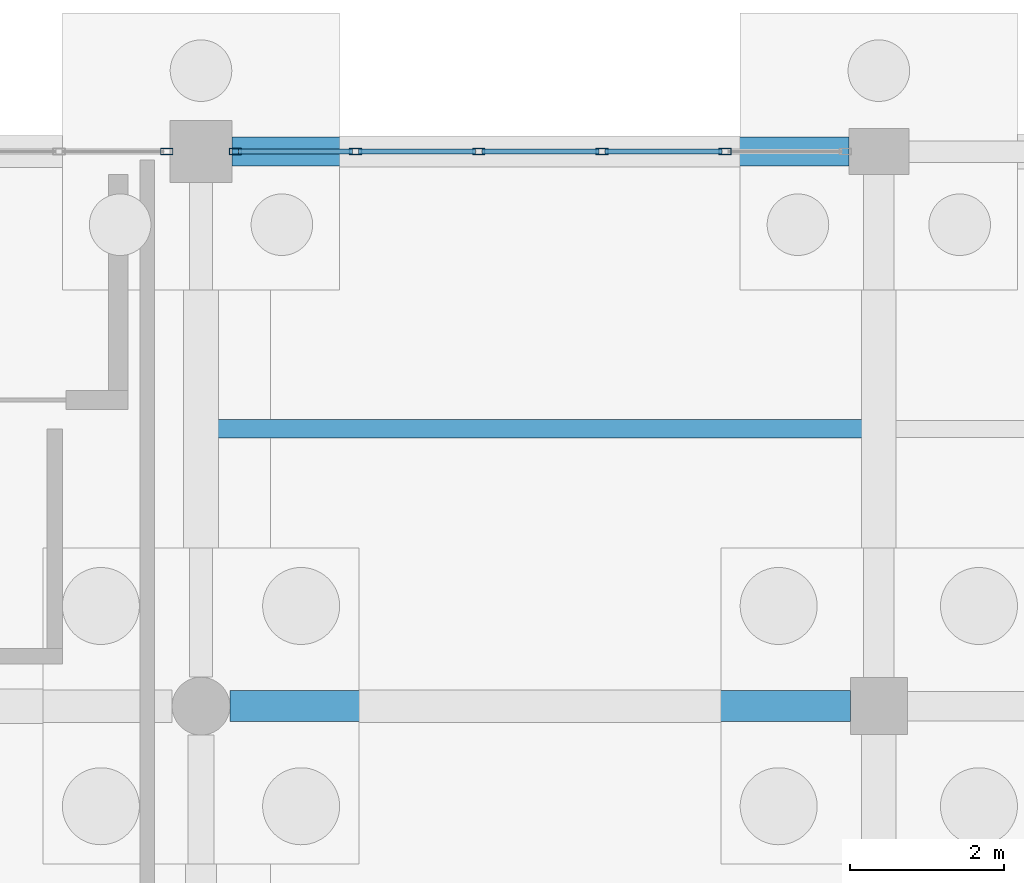
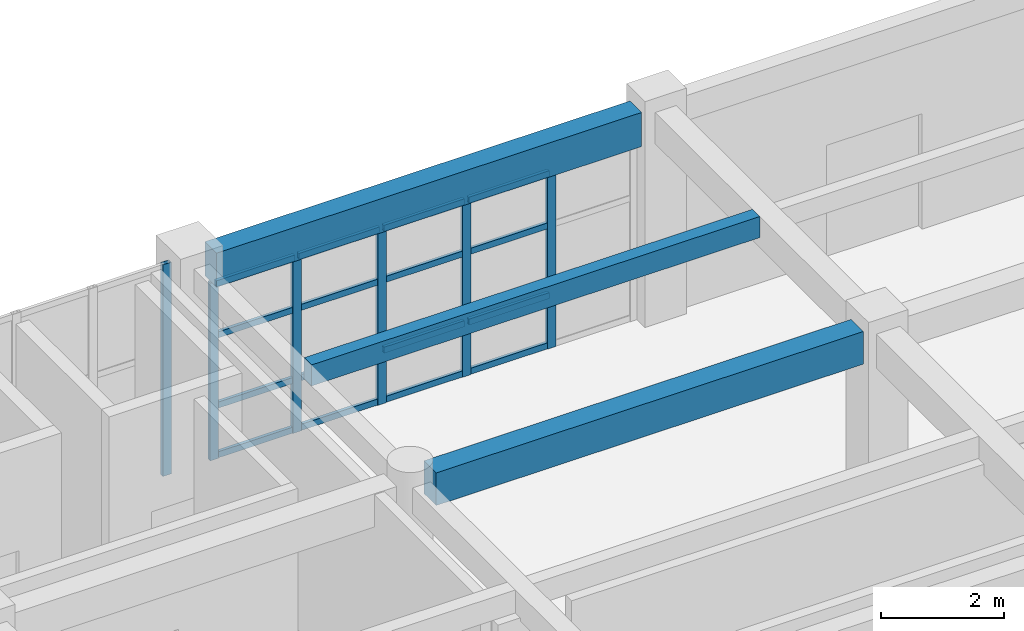
# One storey, part 76 of 166: 22 members, 3 beams, 2 elements without a shape of their own.
"""IFC4 building model written with IfcOpenShell, lengths in metres."""

from ifc_helpers import new_model, si_unit, direction, frame, origin, origin_2d, place, context, subcontext, project, spatial, rectangle, hollow_rectangle, extrude, material, material_profile, profile_set, type_object, element, aggregate, save


model = new_model("IFC4")

# Units and contexts
model_context = context("Model", 3, precision=1e-05, world=origin(), true_north=direction((0.0, 1.0)))
body_context = subcontext(model_context, "Body", "Model", "MODEL_VIEW")
ifc_project = project(units=[si_unit("LENGTHUNIT", "METRE"), si_unit("AREAUNIT", "SQUARE_METRE"), si_unit("VOLUMEUNIT", "CUBIC_METRE"), si_unit("PLANEANGLEUNIT", "RADIAN"), si_unit("MASSUNIT", "GRAM", prefix="KILO")], contexts=[model_context])

# Site, building, storey
site_placement = place(None, origin())
site = spatial("IfcSite", under=ifc_project, at=site_placement, CompositionType="ELEMENT")
building_placement = place(site_placement, origin())
building = spatial("IfcBuilding", under=site, at=building_placement, Name="Kharva Crest Polytechnic", CompositionType="ELEMENT")
storey_placement = place(building_placement, origin())
storey = spatial("IfcBuildingStorey", under=building, at=storey_placement, Name="L00", CompositionType="ELEMENT", Elevation=0.0)

# Beam
ifc_material_1 = material(Name="Concrete C35/45", Category="concrete")
ifc_material_profile_1 = material_profile(ifc_material_1, rectangle(XDim=0.39990234375, YDim=0.64990234375, at=origin_2d()), Name="RECT 400 X 650")
ifc_profile_set_1 = profile_set([ifc_material_profile_1], Name="Concrete C35/45")
beam_type_1 = type_object("IfcBeamType", Name="BM-RC-400X650", PredefinedType="BEAM", material=ifc_profile_set_1)
beam_1_placement = place(storey_placement, frame((120.375, 114.800048828125, 3.89501953125), z_axis=(1.0, 0.0, 0.0), x_axis=(0.0, 1.0, 0.0)))
element("IfcBeam", 1, at=beam_1_placement, inside=storey, type_object=beam_type_1, Name="L00 Beam R/16-17", PredefinedType="BEAM", context=body_context, shape_type="SweptSolid", body=[
    extrude(rectangle(XDim=0.39990234375, YDim=0.64990234375, at=origin_2d()), origin(), (0.0, 0.0, 1.0), 8.054931640625),
])

# Curtain wall, members
ifc_material_2 = material(Name="Tempered insulated glass", Category="glass")
curtain_wall_type = type_object("IfcCurtainWallType", Name="CW-SYS-COURT", PredefinedType="USERDEFINED", material=ifc_material_2)
curtain_wall_1_placement = place(storey_placement, origin())
curtain_wall_1 = element("IfcCurtainWall", 2, at=curtain_wall_1_placement, inside=storey, type_object=curtain_wall_type, Name="L00 Glazed Curtain Wall CW-024", ObjectType="CURTAIN WALL", PredefinedType="USERDEFINED")
ifc_material_3 = material(Name="Steel S355", Category="steel")
ifc_material_profile_2 = material_profile(ifc_material_3, hollow_rectangle(XDim=0.080078125, YDim=0.159912109375, WallThickness=0.0048828125, at=origin_2d()), Name="RHS 160X80X5.0")
ifc_profile_set_2 = profile_set([ifc_material_profile_2], Name="Steel S355")
member_type_1 = type_object("IfcMemberType", Name="CWM-RHS160X80", PredefinedType="MULLION", material=ifc_profile_set_2)
member_1_placement = place(storey_placement, frame((126.804931640625, 122.0, 0.0), z_axis=(0.0, 0.0, 1.0), x_axis=(0.0, -1.0, 0.0)))
member_1 = element("IfcMember", 3, at=member_1_placement, type_object=member_type_1, Name="CW-024 mullion 2", PredefinedType="MULLION", context=body_context, shape_type="SweptSolid", body=[
    extrude(hollow_rectangle(XDim=0.080078125, YDim=0.159912109375, WallThickness=0.0048828125, at=origin_2d()), origin(), (0.0, 0.0, 1.0), 3.5400390625),
])
member_2_placement = place(storey_placement, frame((125.205078125, 122.0, 0.0), z_axis=(0.0, 0.0, 1.0), x_axis=(0.0, -1.0, 0.0)))
member_2 = element("IfcMember", 4, at=member_2_placement, type_object=member_type_1, Name="CW-024 mullion 3", PredefinedType="MULLION", context=body_context, shape_type="SweptSolid", body=[
    extrude(hollow_rectangle(XDim=0.080078125, YDim=0.159912109375, WallThickness=0.0048828125, at=origin_2d()), origin(), (0.0, 0.0, 1.0), 3.5400390625),
])
member_3_placement = place(storey_placement, frame((123.60498046875, 122.0, 0.0), z_axis=(0.0, 0.0, 1.0), x_axis=(0.0, -1.0, 0.0)))
member_3 = element("IfcMember", 5, at=member_3_placement, type_object=member_type_1, Name="CW-024 mullion 4", PredefinedType="MULLION", context=body_context, shape_type="SweptSolid", body=[
    extrude(hollow_rectangle(XDim=0.080078125, YDim=0.159912109375, WallThickness=0.0048828125, at=origin_2d()), origin(), (0.0, 0.0, 1.0), 3.5400390625),
])
member_4_placement = place(storey_placement, frame((122.0048828125, 122.0, 0.0), z_axis=(0.0, 0.0, 1.0), x_axis=(0.0, -1.0, 0.0)))
member_4 = element("IfcMember", 6, at=member_4_placement, type_object=member_type_1, Name="CW-024 mullion 5", PredefinedType="MULLION", context=body_context, shape_type="SweptSolid", body=[
    extrude(hollow_rectangle(XDim=0.080078125, YDim=0.159912109375, WallThickness=0.0048828125, at=origin_2d()), origin(), (0.0, 0.0, 1.0), 3.5400390625),
])
member_5_placement = place(storey_placement, frame((120.445068359375, 122.0, 0.0), z_axis=(0.0, 0.0, 1.0), x_axis=(0.0, -1.0, 0.0)))
member_5 = element("IfcMember", 7, at=member_5_placement, type_object=member_type_1, Name="CW-024 mullion 6", PredefinedType="MULLION", context=body_context, shape_type="SweptSolid", body=[
    extrude(hollow_rectangle(XDim=0.080078125, YDim=0.159912109375, WallThickness=0.0048828125, at=origin_2d()), origin(), (0.0, 0.0, 1.0), 3.5400390625),
])

# Curtain wall, member
curtain_wall_2_placement = place(storey_placement, origin())
curtain_wall_2 = element("IfcCurtainWall", 8, at=curtain_wall_2_placement, inside=storey, type_object=curtain_wall_type, Name="L00 Glazed Curtain Wall CW-025", ObjectType="CURTAIN WALL", PredefinedType="USERDEFINED")
member_6_placement = place(storey_placement, frame((119.554931640625, 122.0, 0.0), z_axis=(0.0, 0.0, 1.0), x_axis=(0.0, -1.0, 0.0)))
member_6 = element("IfcMember", 9, at=member_6_placement, type_object=member_type_1, Name="CW-025 mullion 1", PredefinedType="MULLION", context=body_context, shape_type="SweptSolid", body=[
    extrude(hollow_rectangle(XDim=0.080078125, YDim=0.159912109375, WallThickness=0.0048828125, at=origin_2d()), origin(), (0.0, 0.0, 1.0), 4.219970703125),
])
aggregate(curtain_wall_2, [member_6])

# Member
ifc_material_profile_3 = material_profile(ifc_material_3, hollow_rectangle(XDim=0.06005859375, YDim=0.1201171875, WallThickness=0.00390625, at=origin_2d()), Name="RHS 120X60X4.0")
ifc_profile_set_3 = profile_set([ifc_material_profile_3], Name="Steel S355")
member_type_2 = type_object("IfcMemberType", Name="CWT-RHS120X60", PredefinedType="USERDEFINED", material=ifc_profile_set_3)
member_7_placement = place(storey_placement, frame((126.764892578125, 122.0, 0.06005859375), z_axis=(-1.0, 0.0, 0.0), x_axis=(0.0, -1.0, 0.0)))
member_7 = element("IfcMember", 10, at=member_7_placement, type_object=member_type_2, Name="CW-024 transom 2.1", ObjectType="TRANSOM", PredefinedType="USERDEFINED", context=body_context, shape_type="SweptSolid", body=[
    extrude(hollow_rectangle(XDim=0.06005859375, YDim=0.1201171875, WallThickness=0.00390625, at=origin_2d()), origin(), (0.0, 0.0, 1.0), 1.519775390625),
])

member_8_placement = place(storey_placement, frame((126.764892578125, 122.0, 1.050048828125), z_axis=(-1.0, 0.0, 0.0), x_axis=(0.0, -1.0, 0.0)))
member_8 = element("IfcMember", 11, at=member_8_placement, type_object=member_type_2, Name="CW-024 transom 2.2", ObjectType="TRANSOM", PredefinedType="USERDEFINED", context=body_context, shape_type="SweptSolid", body=[
    extrude(hollow_rectangle(XDim=0.06005859375, YDim=0.1201171875, WallThickness=0.00390625, at=origin_2d()), origin(), (0.0, 0.0, 1.0), 1.519775390625),
])

member_9_placement = place(storey_placement, frame((126.764892578125, 122.0, 2.449951171875), z_axis=(-1.0, 0.0, 0.0), x_axis=(0.0, -1.0, 0.0)))
member_9 = element("IfcMember", 12, at=member_9_placement, type_object=member_type_2, Name="CW-024 transom 2.3", ObjectType="TRANSOM", PredefinedType="USERDEFINED", context=body_context, shape_type="SweptSolid", body=[
    extrude(hollow_rectangle(XDim=0.06005859375, YDim=0.1201171875, WallThickness=0.00390625, at=origin_2d()), origin(), (0.0, 0.0, 1.0), 1.519775390625),
])

member_10_placement = place(storey_placement, frame((126.764892578125, 122.0, 3.47998046875), z_axis=(-1.0, 0.0, 0.0), x_axis=(0.0, -1.0, 0.0)))
member_10 = element("IfcMember", 13, at=member_10_placement, type_object=member_type_2, Name="CW-024 transom 2.4", ObjectType="TRANSOM", PredefinedType="USERDEFINED", context=body_context, shape_type="SweptSolid", body=[
    extrude(hollow_rectangle(XDim=0.06005859375, YDim=0.1201171875, WallThickness=0.00390625, at=origin_2d()), origin(), (0.0, 0.0, 1.0), 1.519775390625),
])

member_11_placement = place(storey_placement, frame((125.1650390625, 122.0, 0.06005859375), z_axis=(-1.0, 0.0, 0.0), x_axis=(0.0, -1.0, 0.0)))
member_11 = element("IfcMember", 14, at=member_11_placement, type_object=member_type_2, Name="CW-024 transom 3.1", ObjectType="TRANSOM", PredefinedType="USERDEFINED", context=body_context, shape_type="SweptSolid", body=[
    extrude(hollow_rectangle(XDim=0.06005859375, YDim=0.1201171875, WallThickness=0.00390625, at=origin_2d()), origin(), (0.0, 0.0, 1.0), 1.52001953125),
])

member_12_placement = place(storey_placement, frame((125.1650390625, 122.0, 1.050048828125), z_axis=(-1.0, 0.0, 0.0), x_axis=(0.0, -1.0, 0.0)))
member_12 = element("IfcMember", 15, at=member_12_placement, type_object=member_type_2, Name="CW-024 transom 3.2", ObjectType="TRANSOM", PredefinedType="USERDEFINED", context=body_context, shape_type="SweptSolid", body=[
    extrude(hollow_rectangle(XDim=0.06005859375, YDim=0.1201171875, WallThickness=0.00390625, at=origin_2d()), origin(), (0.0, 0.0, 1.0), 1.52001953125),
])

member_13_placement = place(storey_placement, frame((125.1650390625, 122.0, 2.449951171875), z_axis=(-1.0, 0.0, 0.0), x_axis=(0.0, -1.0, 0.0)))
member_13 = element("IfcMember", 16, at=member_13_placement, type_object=member_type_2, Name="CW-024 transom 3.3", ObjectType="TRANSOM", PredefinedType="USERDEFINED", context=body_context, shape_type="SweptSolid", body=[
    extrude(hollow_rectangle(XDim=0.06005859375, YDim=0.1201171875, WallThickness=0.00390625, at=origin_2d()), origin(), (0.0, 0.0, 1.0), 1.52001953125),
])

member_14_placement = place(storey_placement, frame((125.1650390625, 122.0, 3.47998046875), z_axis=(-1.0, 0.0, 0.0), x_axis=(0.0, -1.0, 0.0)))
member_14 = element("IfcMember", 17, at=member_14_placement, type_object=member_type_2, Name="CW-024 transom 3.4", ObjectType="TRANSOM", PredefinedType="USERDEFINED", context=body_context, shape_type="SweptSolid", body=[
    extrude(hollow_rectangle(XDim=0.06005859375, YDim=0.1201171875, WallThickness=0.00390625, at=origin_2d()), origin(), (0.0, 0.0, 1.0), 1.52001953125),
])

member_15_placement = place(storey_placement, frame((123.56494140625, 122.0, 0.06005859375), z_axis=(-1.0, 0.0, 0.0), x_axis=(0.0, -1.0, 0.0)))
member_15 = element("IfcMember", 18, at=member_15_placement, type_object=member_type_2, Name="CW-024 transom 4.1", ObjectType="TRANSOM", PredefinedType="USERDEFINED", context=body_context, shape_type="SweptSolid", body=[
    extrude(hollow_rectangle(XDim=0.06005859375, YDim=0.1201171875, WallThickness=0.00390625, at=origin_2d()), origin(), (0.0, 0.0, 1.0), 1.52001953125),
])

member_16_placement = place(storey_placement, frame((123.56494140625, 122.0, 1.050048828125), z_axis=(-1.0, 0.0, 0.0), x_axis=(0.0, -1.0, 0.0)))
member_16 = element("IfcMember", 19, at=member_16_placement, type_object=member_type_2, Name="CW-024 transom 4.2", ObjectType="TRANSOM", PredefinedType="USERDEFINED", context=body_context, shape_type="SweptSolid", body=[
    extrude(hollow_rectangle(XDim=0.06005859375, YDim=0.1201171875, WallThickness=0.00390625, at=origin_2d()), origin(), (0.0, 0.0, 1.0), 1.52001953125),
])

member_17_placement = place(storey_placement, frame((123.56494140625, 122.0, 2.449951171875), z_axis=(-1.0, 0.0, 0.0), x_axis=(0.0, -1.0, 0.0)))
member_17 = element("IfcMember", 20, at=member_17_placement, type_object=member_type_2, Name="CW-024 transom 4.3", ObjectType="TRANSOM", PredefinedType="USERDEFINED", context=body_context, shape_type="SweptSolid", body=[
    extrude(hollow_rectangle(XDim=0.06005859375, YDim=0.1201171875, WallThickness=0.00390625, at=origin_2d()), origin(), (0.0, 0.0, 1.0), 1.52001953125),
])

member_18_placement = place(storey_placement, frame((123.56494140625, 122.0, 3.47998046875), z_axis=(-1.0, 0.0, 0.0), x_axis=(0.0, -1.0, 0.0)))
member_18 = element("IfcMember", 21, at=member_18_placement, type_object=member_type_2, Name="CW-024 transom 4.4", ObjectType="TRANSOM", PredefinedType="USERDEFINED", context=body_context, shape_type="SweptSolid", body=[
    extrude(hollow_rectangle(XDim=0.06005859375, YDim=0.1201171875, WallThickness=0.00390625, at=origin_2d()), origin(), (0.0, 0.0, 1.0), 1.52001953125),
])

member_19_placement = place(storey_placement, frame((121.965087890625, 122.0, 0.06005859375), z_axis=(-1.0, 0.0, 0.0), x_axis=(0.0, -1.0, 0.0)))
member_19 = element("IfcMember", 22, at=member_19_placement, type_object=member_type_2, Name="CW-024 transom 5.1", ObjectType="TRANSOM", PredefinedType="USERDEFINED", context=body_context, shape_type="SweptSolid", body=[
    extrude(hollow_rectangle(XDim=0.06005859375, YDim=0.1201171875, WallThickness=0.00390625, at=origin_2d()), origin(), (0.0, 0.0, 1.0), 1.47998046875),
])

member_20_placement = place(storey_placement, frame((121.965087890625, 122.0, 1.050048828125), z_axis=(-1.0, 0.0, 0.0), x_axis=(0.0, -1.0, 0.0)))
member_20 = element("IfcMember", 23, at=member_20_placement, type_object=member_type_2, Name="CW-024 transom 5.2", ObjectType="TRANSOM", PredefinedType="USERDEFINED", context=body_context, shape_type="SweptSolid", body=[
    extrude(hollow_rectangle(XDim=0.06005859375, YDim=0.1201171875, WallThickness=0.00390625, at=origin_2d()), origin(), (0.0, 0.0, 1.0), 1.47998046875),
])

member_21_placement = place(storey_placement, frame((121.965087890625, 122.0, 2.449951171875), z_axis=(-1.0, 0.0, 0.0), x_axis=(0.0, -1.0, 0.0)))
member_21 = element("IfcMember", 24, at=member_21_placement, type_object=member_type_2, Name="CW-024 transom 5.3", ObjectType="TRANSOM", PredefinedType="USERDEFINED", context=body_context, shape_type="SweptSolid", body=[
    extrude(hollow_rectangle(XDim=0.06005859375, YDim=0.1201171875, WallThickness=0.00390625, at=origin_2d()), origin(), (0.0, 0.0, 1.0), 1.47998046875),
])

member_22_placement = place(storey_placement, frame((121.965087890625, 122.0, 3.47998046875), z_axis=(-1.0, 0.0, 0.0), x_axis=(0.0, -1.0, 0.0)))
member_22 = element("IfcMember", 25, at=member_22_placement, type_object=member_type_2, Name="CW-024 transom 5.4", ObjectType="TRANSOM", PredefinedType="USERDEFINED", context=body_context, shape_type="SweptSolid", body=[
    extrude(hollow_rectangle(XDim=0.06005859375, YDim=0.1201171875, WallThickness=0.00390625, at=origin_2d()), origin(), (0.0, 0.0, 1.0), 1.47998046875),
])

aggregate(curtain_wall_1, [member_1, member_2, member_3, member_4, member_5, member_7, member_8, member_9, member_10, member_11, member_12, member_13, member_14, member_15, member_16, member_17, member_18, member_19, member_20, member_21, member_22])

# Beams
ifc_material_profile_4 = material_profile(ifc_material_1, rectangle(XDim=0.239990234375, YDim=0.419921875, at=origin_2d()), Name="RECT 240 X 420")
ifc_profile_set_4 = profile_set([ifc_material_profile_4], Name="Concrete C35/45")
beam_type_2 = type_object("IfcBeamType", Name="JS-RC-240X420", PredefinedType="JOIST", material=ifc_profile_set_4)
beam_2_placement = place(storey_placement, frame((120.14990234375, 118.39990234375, 4.010009765625), z_axis=(1.0, 0.0, 0.0), x_axis=(0.0, 1.0, 0.0)))
element("IfcBeam", 26, at=beam_2_placement, inside=storey, type_object=beam_type_2, Name="L00 Floor Joist 49", PredefinedType="JOIST", context=body_context, shape_type="SweptSolid", body=[
    extrude(rectangle(XDim=0.239990234375, YDim=0.419921875, at=origin_2d()), origin(), (0.0, 0.0, 1.0), 8.4501953125),
])
ifc_material_profile_5 = material_profile(ifc_material_1, rectangle(XDim=0.3798828125, YDim=0.679931640625, at=origin_2d()), Name="RECT 380 X 680")
ifc_profile_set_5 = profile_set([ifc_material_profile_5], Name="Concrete C35/45")
beam_type_3 = type_object("IfcBeamType", Name="SP-RC-380X680", PredefinedType="SPANDREL", material=ifc_profile_set_5)
beam_3_placement = place(storey_placement, frame((120.39990234375, 122.0, 3.8798828125), z_axis=(1.0, 0.0, 0.0), x_axis=(0.0, 1.0, 0.0)))
element("IfcBeam", 27, at=beam_3_placement, inside=storey, type_object=beam_type_3, Name="L00 Beam S/16-17", PredefinedType="SPANDREL", context=body_context, shape_type="SweptSolid", body=[
    extrude(rectangle(XDim=0.3798828125, YDim=0.679931640625, at=origin_2d()), origin(), (0.0, 0.0, 1.0), 8.010009765625),
])

save(model, "model.ifc")
